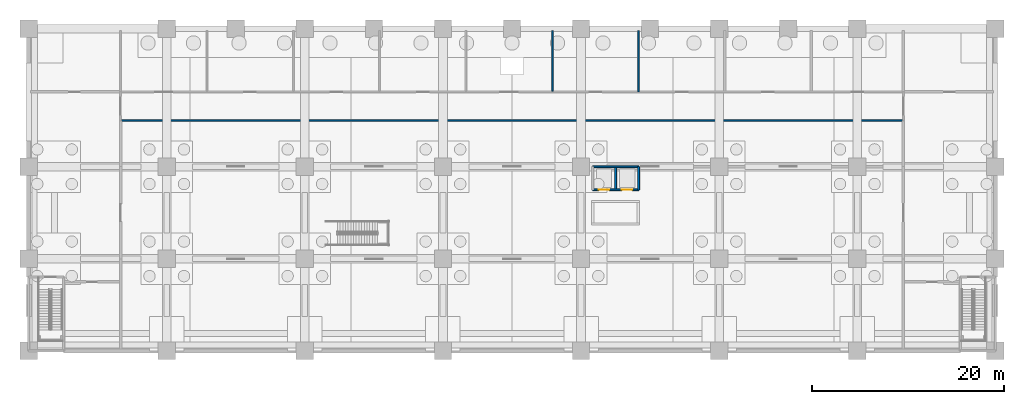
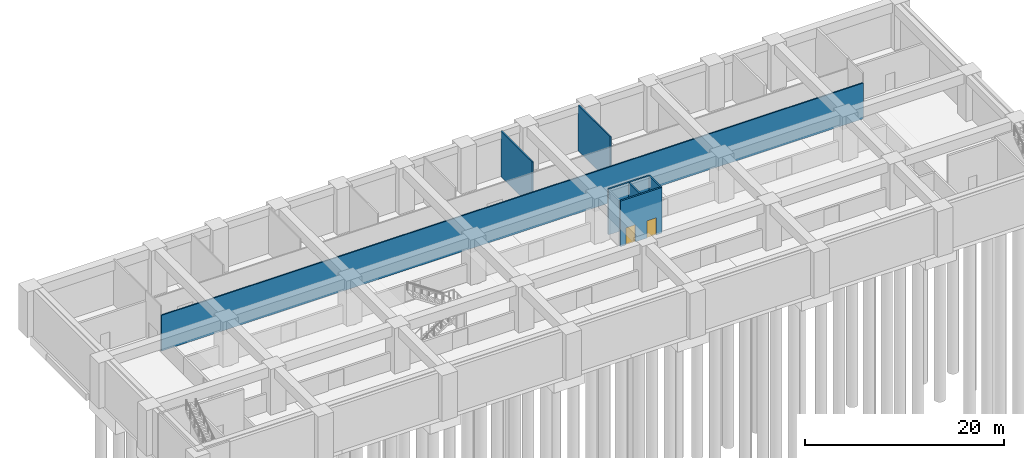
# One storey, part 5 of 13: 7 walls, 2 doors, 2 openings.
"""IFC4 building model written with IfcOpenShell, lengths in metres."""

from ifc_helpers import new_model, si_unit, direction, frame, frame_2d, origin, place, context, subcontext, project, spatial, rectangle, extrude, material, layer, layer_set, type_object, element, fill, save


model = new_model("IFC4")

# Units and contexts
model_context = context("Model", 3, precision=1e-05, world=origin(), true_north=direction((0.0, 1.0)))
body_context = subcontext(model_context, "Body", "Model", "MODEL_VIEW")
ifc_project = project(units=[si_unit("LENGTHUNIT", "METRE"), si_unit("AREAUNIT", "SQUARE_METRE"), si_unit("VOLUMEUNIT", "CUBIC_METRE"), si_unit("PLANEANGLEUNIT", "RADIAN"), si_unit("MASSUNIT", "GRAM", prefix="KILO")], contexts=[model_context])

# Site, building, storey
site_placement = place(None, origin())
site = spatial("IfcSite", under=ifc_project, at=site_placement, CompositionType="ELEMENT")
building_placement = place(site_placement, origin())
building = spatial("IfcBuilding", under=site, at=building_placement, Name="Saffron Iwan Residences", CompositionType="ELEMENT")
storey_placement = place(building_placement, frame((0.0, 0.0, -11.39990234375)))
storey = spatial("IfcBuildingStorey", under=building, at=storey_placement, Name="B2", CompositionType="ELEMENT", Elevation=-11.39990234375)

# Walls
ifc_material_1 = material(Name="Concrete blockwork", Category="masonry")
ifc_layer_1 = layer(ifc_material_1, 0.14990234375)
ifc_layer_set_1 = layer_set([ifc_layer_1], Name="Concrete blockwork")
wall_type_1 = type_object("IfcWallType", Name="Blockwork partition 150", PredefinedType="PARTITIONING", material=ifc_layer_set_1)
wall_1_placement = place(storey_placement, frame((9.60009765625, 24.0, 0.0), z_axis=(0.0, 0.0, 1.0), x_axis=(1.0, 0.0, 0.0)))
element("IfcWall", 1, at=wall_1_placement, inside=storey, type_object=wall_type_1, Name="W-B2-013", PredefinedType="PARTITIONING", context=body_context, shape_type="SweptSolid", body=[
    extrude(rectangle(XDim=81.599853515625, YDim=0.14990234375, at=frame_2d((40.7998046875, 0.0))), origin(), (0.0, 0.0, 1.0), 4.39990234375),
])
wall_2_placement = place(storey_placement, frame((54.60009765625, 27.074951171875, 0.0), z_axis=(0.0, 0.0, 1.0), x_axis=(0.0, 1.0, 0.0)))
element("IfcWall", 2, at=wall_2_placement, inside=storey, type_object=wall_type_1, Name="W-B2-031", PredefinedType="PARTITIONING", context=body_context, shape_type="SweptSolid", body=[
    extrude(rectangle(XDim=6.324951171875, YDim=0.14990234375, at=frame_2d((3.16259765625, 0.0))), origin(), (0.0, 0.0, 1.0), 5.599853515625),
])
wall_3_placement = place(storey_placement, frame((63.60009765625, 27.0, 0.0), z_axis=(0.0, 0.0, 1.0), x_axis=(0.0, 1.0, 0.0)))
element("IfcWall", 3, at=wall_3_placement, inside=storey, type_object=wall_type_1, Name="W-B2-034", PredefinedType="PARTITIONING", context=body_context, shape_type="SweptSolid", body=[
    extrude(rectangle(XDim=6.39990234375, YDim=0.14990234375, at=frame_2d((3.199951171875, 0.0))), origin(), (0.0, 0.0, 1.0), 5.599853515625),
])

# Wall, openings, doors
ifc_material_2 = material(Name="Concrete C40/50", Category="concrete")
ifc_layer_2 = layer(ifc_material_2, 0.199951171875)
ifc_layer_set_2 = layer_set([ifc_layer_2], Name="Concrete C40/50")
wall_type_2 = type_object("IfcWallType", Name="Reinforced concrete stair wall 200", PredefinedType="SOLIDWALL", material=ifc_layer_set_2)
wall_4_placement = place(storey_placement, frame((58.800048828125, 16.800048828125, 0.0), z_axis=(0.0, 0.0, 1.0), x_axis=(1.0, 0.0, 0.0)))
wall_4 = element("IfcWall", 4, at=wall_4_placement, inside=storey, type_object=wall_type_2, Name="W-B2-009", PredefinedType="SOLIDWALL", context=body_context, shape_type="SweptSolid", body=[
    extrude(rectangle(XDim=4.800048828125, YDim=0.199951171875, at=frame_2d((2.39990234375, 0.0))), origin(), (0.0, 0.0, 1.0), 5.599853515625),
])
opening_1_placement = place(wall_4_placement, frame((0.64990234375, 0.0, 0.0)))
opening_1 = element("IfcOpeningElement", 5, at=opening_1_placement, cuts=wall_4, Name="Opening SLD", PredefinedType="OPENING", context=body_context, shape_type="SweptSolid", body=[
    extrude(rectangle(XDim=1.10009765625, YDim=2.10009765625, at=frame_2d((0.550048828125, 1.050048828125))), frame((0.0, 0.10986328125, 0.0), z_axis=(0.0, -1.0, 0.0), x_axis=(1.0, 0.0, 0.0)), (0.0, 0.0, 1.0), 0.219970703125),
])
opening_2_placement = place(wall_4_placement, frame((3.050048828125, 0.0, 0.0)))
opening_2 = element("IfcOpeningElement", 6, at=opening_2_placement, cuts=wall_4, Name="Opening SLD", PredefinedType="OPENING", context=body_context, shape_type="SweptSolid", body=[
    extrude(rectangle(XDim=1.10009765625, YDim=2.10009765625, at=frame_2d((0.550048828125, 1.050048828125))), frame((0.0, 0.10986328125, 0.0), z_axis=(0.0, -1.0, 0.0), x_axis=(1.0, 0.0, 0.0)), (0.0, 0.0, 1.0), 0.219970703125),
])
ifc_material_3 = material(Name="Stainless steel", Category="steel")
door_type = type_object("IfcDoorType", Name="Station lift landing door 1100", OperationType="SLIDING_TO_LEFT", PredefinedType="DOOR", material=ifc_material_3)
door_1_placement = place(opening_1_placement, origin())
door_1 = element("IfcDoor", 7, at=door_1_placement, inside=storey, type_object=door_type, Name="D-B2-001", OperationType="SLIDING_TO_LEFT", OverallHeight=2.10009765625, OverallWidth=1.10009765625, PredefinedType="DOOR", context=body_context, shape_type="SweptSolid", body=[
    extrude(rectangle(XDim=1.10009765625, YDim=2.10009765625, at=frame_2d((0.550048828125, 1.050048828125))), frame((0.0, 0.02490234375, 0.0), z_axis=(0.0, -1.0, 0.0), x_axis=(1.0, 0.0, 0.0)), (0.0, 0.0, 1.0), 0.050048828125),
])
fill(opening_1, door_1)
door_2_placement = place(opening_2_placement, origin())
door_2 = element("IfcDoor", 8, at=door_2_placement, inside=storey, type_object=door_type, Name="D-B2-002", OperationType="SLIDING_TO_LEFT", OverallHeight=2.10009765625, OverallWidth=1.10009765625, PredefinedType="DOOR", context=body_context, shape_type="SweptSolid", body=[
    extrude(rectangle(XDim=1.10009765625, YDim=2.10009765625, at=frame_2d((0.550048828125, 1.050048828125))), frame((0.0, 0.02490234375, 0.0), z_axis=(0.0, -1.0, 0.0), x_axis=(1.0, 0.0, 0.0)), (0.0, 0.0, 1.0), 0.050048828125),
])
fill(opening_2, door_2)

# Walls
wall_5_placement = place(storey_placement, frame((58.800048828125, 19.199951171875, 0.0), z_axis=(0.0, 0.0, 1.0), x_axis=(1.0, 0.0, 0.0)))
element("IfcWall", 9, at=wall_5_placement, inside=storey, type_object=wall_type_2, Name="W-B2-010", PredefinedType="SOLIDWALL", context=body_context, shape_type="SweptSolid", body=[
    extrude(rectangle(XDim=4.800048828125, YDim=0.199951171875, at=frame_2d((2.39990234375, 0.0))), origin(), (0.0, 0.0, 1.0), 5.599853515625),
])
wall_6_placement = place(storey_placement, frame((61.199951171875, 16.89990234375, 0.0), z_axis=(0.0, 0.0, 1.0), x_axis=(0.0, 1.0, 0.0)))
element("IfcWall", 10, at=wall_6_placement, inside=storey, type_object=wall_type_2, Name="W-B2-033", PredefinedType="SOLIDWALL", context=body_context, shape_type="SweptSolid", body=[
    extrude(rectangle(XDim=2.2001953125, YDim=0.199951171875, at=frame_2d((1.10009765625, 0.0))), origin(), (0.0, 0.0, 1.0), 5.599853515625),
])
wall_7_placement = place(storey_placement, frame((63.60009765625, 16.800048828125, 0.0), z_axis=(0.0, 0.0, 1.0), x_axis=(0.0, 1.0, 0.0)))
element("IfcWall", 11, at=wall_7_placement, inside=storey, type_object=wall_type_2, Name="W-B2-035", PredefinedType="SOLIDWALL", context=body_context, shape_type="SweptSolid", body=[
    extrude(rectangle(XDim=2.39990234375, YDim=0.199951171875, at=frame_2d((1.199951171875, 0.0))), origin(), (0.0, 0.0, 1.0), 5.599853515625),
])

save(model, "model.ifc")
